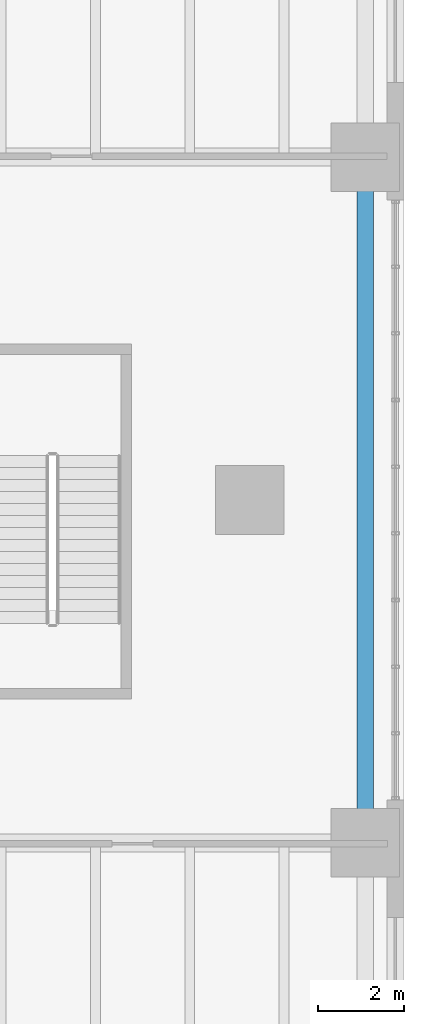
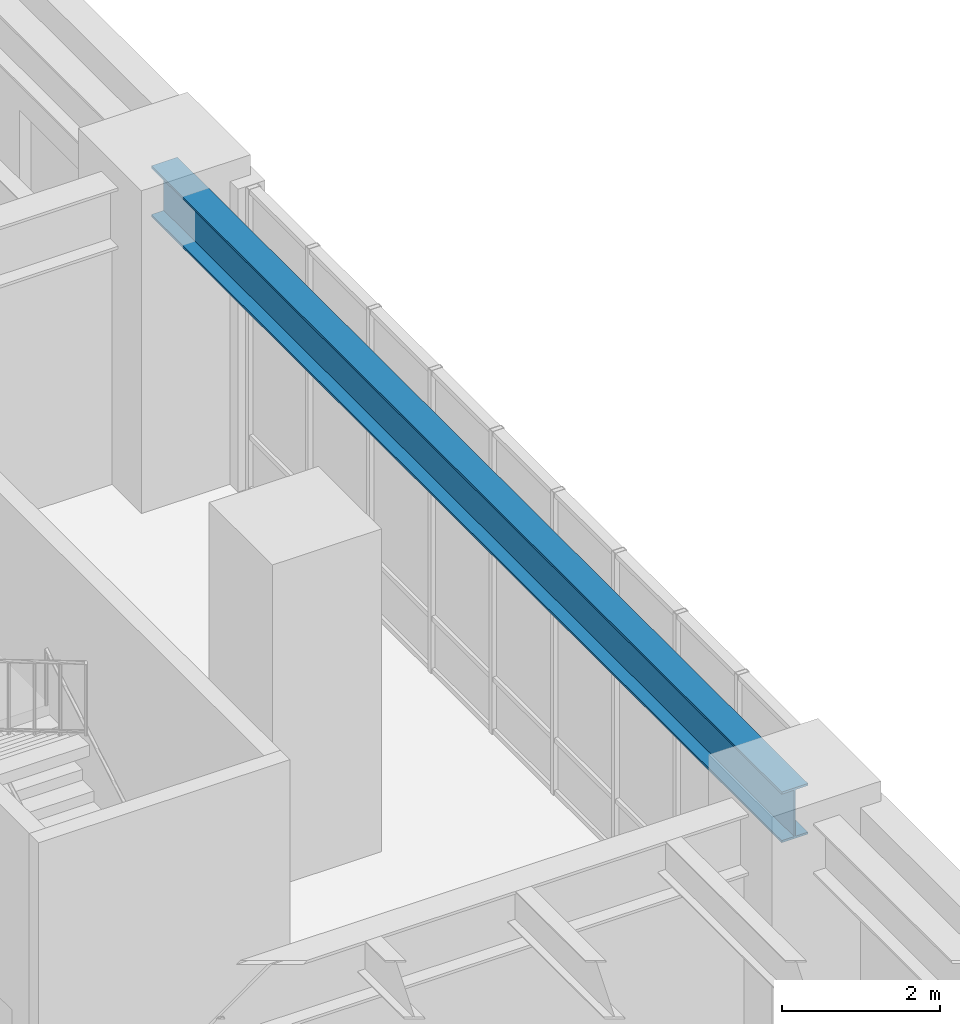
# One storey, part 9 of 18: 1 beam.
"""IFC4 building model written with IfcOpenShell, lengths in metres."""

from ifc_helpers import new_model, si_unit, direction, frame, origin, origin_2d, place, context, subcontext, project, spatial, i_section, extrude, material, material_profile, profile_set, type_object, element, save


model = new_model("IFC4")

# Units and contexts
model_context = context("Model", 3, precision=1e-05, world=origin(), true_north=direction((0.0, 1.0)))
body_context = subcontext(model_context, "Body", "Model", "MODEL_VIEW")
ifc_project = project(units=[si_unit("LENGTHUNIT", "METRE"), si_unit("AREAUNIT", "SQUARE_METRE"), si_unit("VOLUMEUNIT", "CUBIC_METRE"), si_unit("PLANEANGLEUNIT", "RADIAN"), si_unit("MASSUNIT", "GRAM", prefix="KILO"), si_unit("THERMODYNAMICTEMPERATUREUNIT", "KELVIN"), si_unit("POWERUNIT", "WATT")], contexts=[model_context])

# Site, building, storey
site_placement = place(None, origin())
site = spatial("IfcSite", under=ifc_project, at=site_placement, CompositionType="ELEMENT")
building_placement = place(site_placement, origin())
building = spatial("IfcBuilding", under=site, at=building_placement, Name="Skarre Station Tower", CompositionType="ELEMENT")
storey_placement = place(building_placement, frame((0.0, 0.0, 11.0)))
storey = spatial("IfcBuildingStorey", under=building, at=storey_placement, Name="L03", CompositionType="ELEMENT", Elevation=11.0)

# Beam
ifc_material = material(Name="Steel ASTM A992 Grade 50", Category="steel")
ifc_material_profile = material_profile(ifc_material, i_section(OverallWidth=0.384033203125, OverallDepth=0.785888671875, WebThickness=0.02001953125, FlangeThickness=0.032958984375, at=origin_2d()), Name="Steel ASTM A992 Grade 50")
ifc_profile_set = profile_set([ifc_material_profile], Name="Steel ASTM A992 Grade 50")
beam_type = type_object("IfcBeamType", Name="Steel Spandrel W30X211", PredefinedType="SPANDREL", material=ifc_profile_set)
beam_placement = place(storey_placement, frame((71.10009765625, 16.0, 4.297119140625), z_axis=(0.0, 1.0, 0.0), x_axis=(-1.0, 0.0, 0.0)))
element("IfcBeam", 1, at=beam_placement, inside=storey, type_object=beam_type, Name="L03 East Podium Spandrel 2", PredefinedType="SPANDREL", context=body_context, shape_type="SweptSolid", body=[
    extrude(i_section(OverallWidth=0.384033203125, OverallDepth=0.785888671875, WebThickness=0.02001953125, FlangeThickness=0.032958984375, at=origin_2d()), origin(), (0.0, 0.0, 1.0), 16.0),
])

save(model, "model.ifc")
